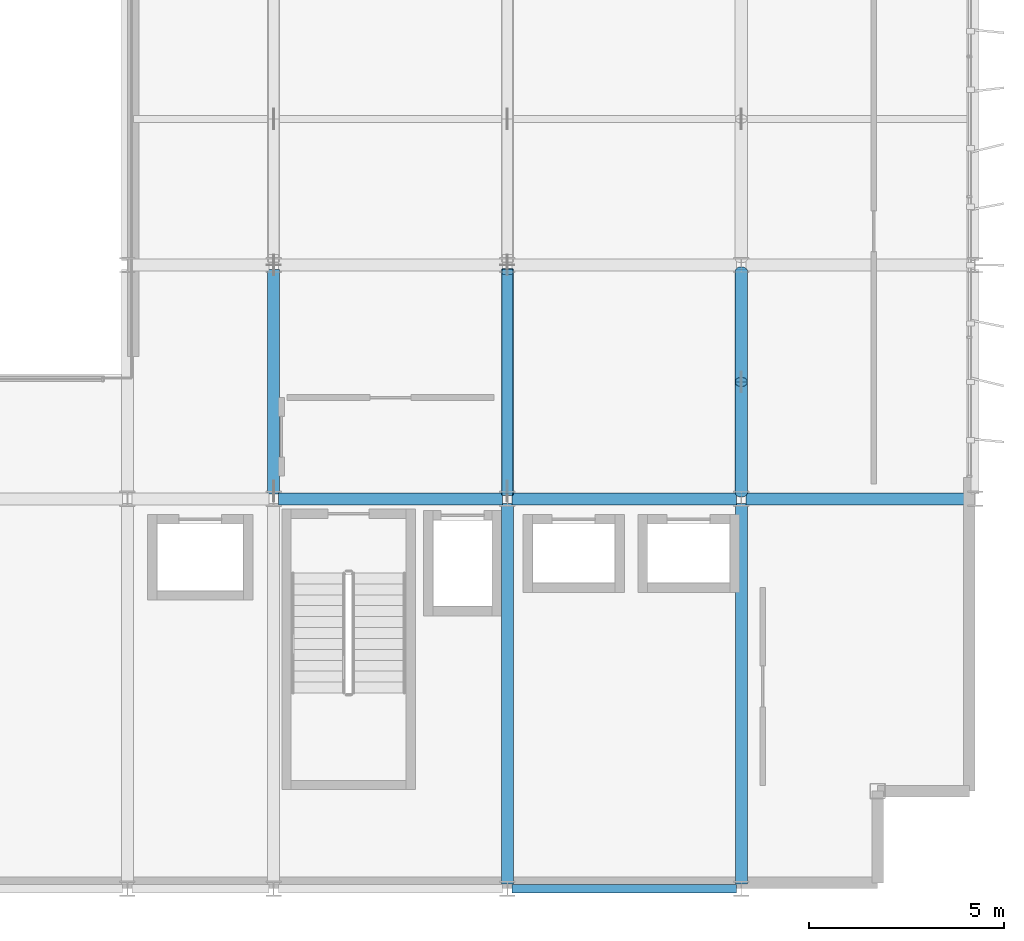
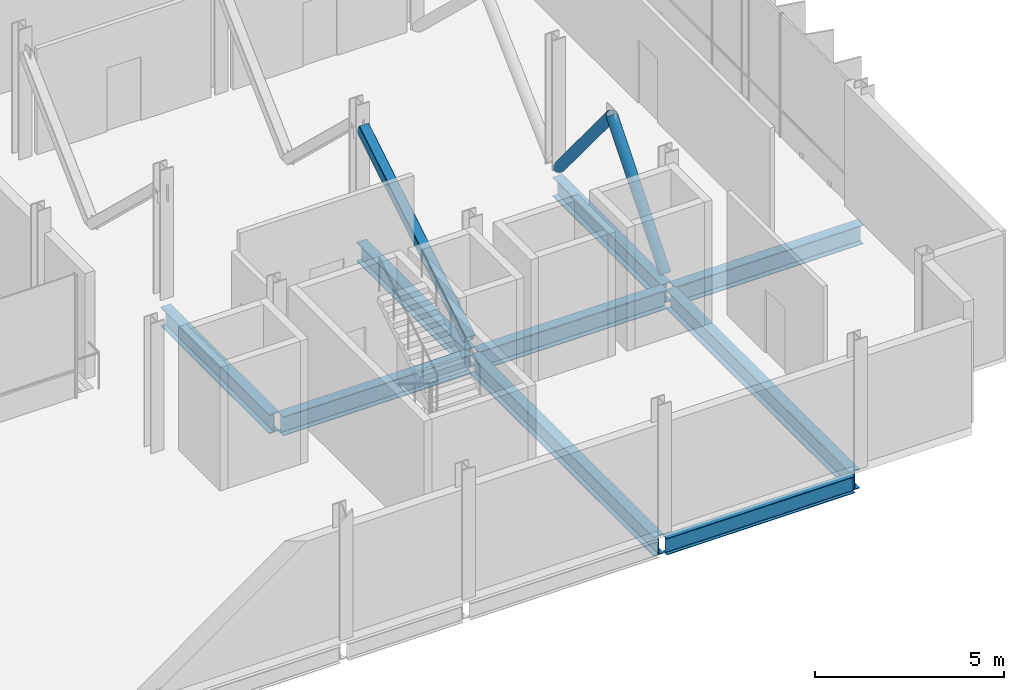
# One storey, part 16 of 33: 9 beams, 3 members.
"""IFC4 building model written with IfcOpenShell, lengths in metres."""

from ifc_helpers import new_model, si_unit, direction, frame, origin, origin_2d, place, context, subcontext, project, spatial, hollow_rectangle, hollow_circle, i_section, extrude, material, material_profile, profile_set, type_object, element, save


model = new_model("IFC4")

# Units and contexts
model_context = context("Model", 3, precision=1e-05, world=origin(), true_north=direction((0.0, 1.0)))
body_context = subcontext(model_context, "Body", "Model", "MODEL_VIEW")
ifc_project = project(units=[si_unit("LENGTHUNIT", "METRE"), si_unit("AREAUNIT", "SQUARE_METRE"), si_unit("VOLUMEUNIT", "CUBIC_METRE"), si_unit("PLANEANGLEUNIT", "RADIAN"), si_unit("MASSUNIT", "GRAM", prefix="KILO")], contexts=[model_context])

# Site, building, storey
site_placement = place(None, origin())
site = spatial("IfcSite", under=ifc_project, at=site_placement, CompositionType="ELEMENT")
building_placement = place(site_placement, origin())
building = spatial("IfcBuilding", under=site, at=building_placement, Name="Brevholm Reach", CompositionType="ELEMENT")
storey_placement = place(building_placement, frame((0.0, 0.0, 179.0)))
storey = spatial("IfcBuildingStorey", under=building, at=storey_placement, Name="L54", CompositionType="ELEMENT", Elevation=179.0)

# Beams
ifc_material_1 = material(Name="Structural Steel S355J2", Category="steel")
ifc_material_profile_1 = material_profile(ifc_material_1, i_section(OverallWidth=0.210693359375, OverallDepth=0.53955078125, WebThickness=0.01171875, FlangeThickness=0.018798828125, FilletRadius=0.0126953125, at=origin_2d()), Name="UKB 533x210x109")
ifc_profile_set_1 = profile_set([ifc_material_profile_1], Name="Structural Steel S355J2")
beam_type_1 = type_object("IfcBeamType", Name="BM-SP539", PredefinedType="SPANDREL", material=ifc_profile_set_1)
beam_1_placement = place(storey_placement, frame((48.1201171875, 0.0, -0.52978515625), z_axis=(1.0, 0.0, 0.0), x_axis=(0.0, 1.0, 0.0)))
element("IfcBeam", 1, at=beam_1_placement, inside=storey, type_object=beam_type_1, Name="L54 SP-01B Framing Beam", PredefinedType="SPANDREL", context=body_context, shape_type="SweptSolid", body=[
    extrude(i_section(OverallWidth=0.210693359375, OverallDepth=0.53955078125, WebThickness=0.01171875, FlangeThickness=0.018798828125, FilletRadius=0.0126953125, at=origin_2d()), origin(), (0.0, 0.0, 1.0), 5.759765625),
])
ifc_material_2 = material(Name="Structural Steel S355J2", Category="steel")
ifc_material_profile_2 = material_profile(ifc_material_2, i_section(OverallWidth=0.30712890625, OverallDepth=0.6201171875, WebThickness=0.01416015625, FlangeThickness=0.023681640625, FilletRadius=0.0166015625, at=origin_2d()), Name="UKB 610x305x179")
ifc_profile_set_2 = profile_set([ifc_material_profile_2], Name="Structural Steel S355J2")
beam_type_2 = type_object("IfcBeamType", Name="BM-UKB610H", PredefinedType="USERDEFINED", material=ifc_profile_set_2)
for number, where, z_axis, x_axis, name in (
    (2, (42.1201171875, 10.0, -0.570068359375), (1.0, 0.0, 0.0), (0.0, 1.0, 0.0), "L54 G-06 Framing Beam"),
    (3, (48.1201171875, 10.0, -0.570068359375), (1.0, 0.0, 0.0), (0.0, 1.0, 0.0), "L54 G-06 Framing Beam"),
    (4, (54.1201171875, 10.0, -0.570068359375), (1.0, 0.0, 0.0), (0.0, 1.0, 0.0), "L54 G-06 Framing Beam"),
    (5, (42.0, 10.1201171875, -0.570068359375), (0.0, 1.0, 0.0), (-1.0, 0.0, 0.0), "L54 G-06 Framing Beam"),
):
    element("IfcBeam", number, at=place(storey_placement, frame(where, z_axis=z_axis, x_axis=x_axis)), inside=storey, type_object=beam_type_2, Name=name, ObjectType="GIRDER", PredefinedType="USERDEFINED", context=body_context, shape_type="SweptSolid", body=[
        extrude(i_section(OverallWidth=0.30712890625, OverallDepth=0.6201171875, WebThickness=0.01416015625, FlangeThickness=0.023681640625, FilletRadius=0.0166015625, at=origin_2d()), origin(), (0.0, 0.0, 1.0), 5.759765625),
    ])
beam_2_placement = place(storey_placement, frame((48.0, 0.1201171875, -0.570068359375), z_axis=(0.0, 1.0, 0.0), x_axis=(-1.0, 0.0, 0.0)))
element("IfcBeam", 6, at=beam_2_placement, inside=storey, type_object=beam_type_2, Name="L54 G-06 Framing Beam", ObjectType="GIRDER", PredefinedType="USERDEFINED", context=body_context, shape_type="SweptSolid", body=[
    extrude(i_section(OverallWidth=0.30712890625, OverallDepth=0.6201171875, WebThickness=0.01416015625, FlangeThickness=0.023681640625, FilletRadius=0.0166015625, at=origin_2d()), origin(), (0.0, 0.0, 1.0), 9.759765625),
])
beam_3_placement = place(storey_placement, frame((48.0, 10.1201171875, -0.570068359375), z_axis=(0.0, 1.0, 0.0), x_axis=(-1.0, 0.0, 0.0)))
element("IfcBeam", 7, at=beam_3_placement, inside=storey, type_object=beam_type_2, Name="L54 G-06 Framing Beam", ObjectType="GIRDER", PredefinedType="USERDEFINED", context=body_context, shape_type="SweptSolid", body=[
    extrude(i_section(OverallWidth=0.30712890625, OverallDepth=0.6201171875, WebThickness=0.01416015625, FlangeThickness=0.023681640625, FilletRadius=0.0166015625, at=origin_2d()), origin(), (0.0, 0.0, 1.0), 5.759765625),
])
beam_4_placement = place(storey_placement, frame((54.0, 0.1201171875, -0.570068359375), z_axis=(0.0, 1.0, 0.0), x_axis=(-1.0, 0.0, 0.0)))
element("IfcBeam", 8, at=beam_4_placement, inside=storey, type_object=beam_type_2, Name="L54 G-06 Framing Beam", ObjectType="GIRDER", PredefinedType="USERDEFINED", context=body_context, shape_type="SweptSolid", body=[
    extrude(i_section(OverallWidth=0.30712890625, OverallDepth=0.6201171875, WebThickness=0.01416015625, FlangeThickness=0.023681640625, FilletRadius=0.0166015625, at=origin_2d()), origin(), (0.0, 0.0, 1.0), 9.759765625),
])
beam_5_placement = place(storey_placement, frame((54.0, 10.1201171875, -0.570068359375), z_axis=(0.0, 1.0, 0.0), x_axis=(-1.0, 0.0, 0.0)))
element("IfcBeam", 9, at=beam_5_placement, inside=storey, type_object=beam_type_2, Name="L54 G-06 Framing Beam", ObjectType="GIRDER", PredefinedType="USERDEFINED", context=body_context, shape_type="SweptSolid", body=[
    extrude(i_section(OverallWidth=0.30712890625, OverallDepth=0.6201171875, WebThickness=0.01416015625, FlangeThickness=0.023681640625, FilletRadius=0.0166015625, at=origin_2d()), origin(), (0.0, 0.0, 1.0), 5.759765625),
])

# Members
ifc_material_3 = material(Name="Structural Steel S355J2H", Category="steel")
ifc_material_profile_3 = material_profile(ifc_material_3, hollow_circle(Radius=0.161865234375, WallThickness=0.012451171875, at=origin_2d()), Name="CHS 323.9x12.5")
ifc_profile_set_3 = profile_set([ifc_material_profile_3], Name="Structural Steel S355J2H")
member_type_1 = type_object("IfcMemberType", Name="MEM-BB-CHS324", PredefinedType="BRACE", material=ifc_profile_set_3)
for number, where, z_axis, x_axis, name in (
    (10, (54.0, 10.169921875, 0.02001953125), (0.0, 0.638027189053, 0.77001383496), (-1.0, 0.0, 0.0), "L54 Belt Truss Brace BB-03A"),
    (11, (54.0, 13.0, 3.435546875), (0.0, 0.638027189053, -0.77001383496), (-1.0, 0.0, 0.0), "L54 Belt Truss Brace BB-03B"),
):
    element("IfcMember", number, at=place(storey_placement, frame(where, z_axis=z_axis, x_axis=x_axis)), inside=storey, type_object=member_type_1, Name=name, PredefinedType="BRACE", context=body_context, shape_type="SweptSolid", body=[
        extrude(hollow_circle(Radius=0.161865234375, WallThickness=0.012451171875, at=origin_2d()), origin(), (0.0, 0.0, 1.0), 4.435791015625),
    ])
ifc_material_4 = material(Name="Structural Steel S460NH", Category="steel")
ifc_material_profile_4 = material_profile(ifc_material_4, hollow_rectangle(XDim=0.300048828125, YDim=0.300048828125, WallThickness=0.012451171875, InnerFilletRadius=0.011962890625, OuterFilletRadius=0.02392578125, at=origin_2d()), Name="SHS 300x300x12.5")
ifc_profile_set_4 = profile_set([ifc_material_profile_4], Name="Structural Steel S460NH")
member_type_2 = type_object("IfcMemberType", Name="MEM-OB-SHS300", PredefinedType="BRACE", material=ifc_profile_set_4)
member_placement = place(storey_placement, frame((48.0, 10.169921875, 0.02001953125), z_axis=(0.0, 0.856193294322, 0.516655632659), x_axis=(-1.0, 0.0, 0.0)))
element("IfcMember", 12, at=member_placement, inside=storey, type_object=member_type_2, Name="L54 Outrigger Truss Diagonal X48.1", PredefinedType="BRACE", context=body_context, shape_type="SweptSolid", body=[
    extrude(hollow_rectangle(XDim=0.300048828125, YDim=0.300048828125, WallThickness=0.012451171875, InnerFilletRadius=0.011962890625, OuterFilletRadius=0.02392578125, at=origin_2d()), origin(), (0.0, 0.0, 1.0), 6.61083984375),
])

save(model, "model.ifc")
